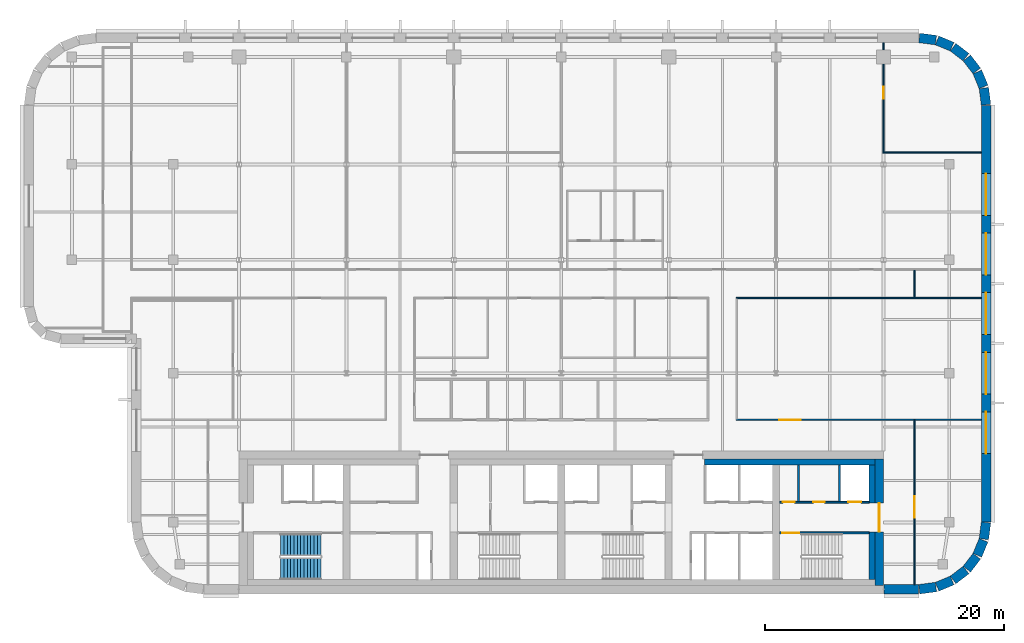
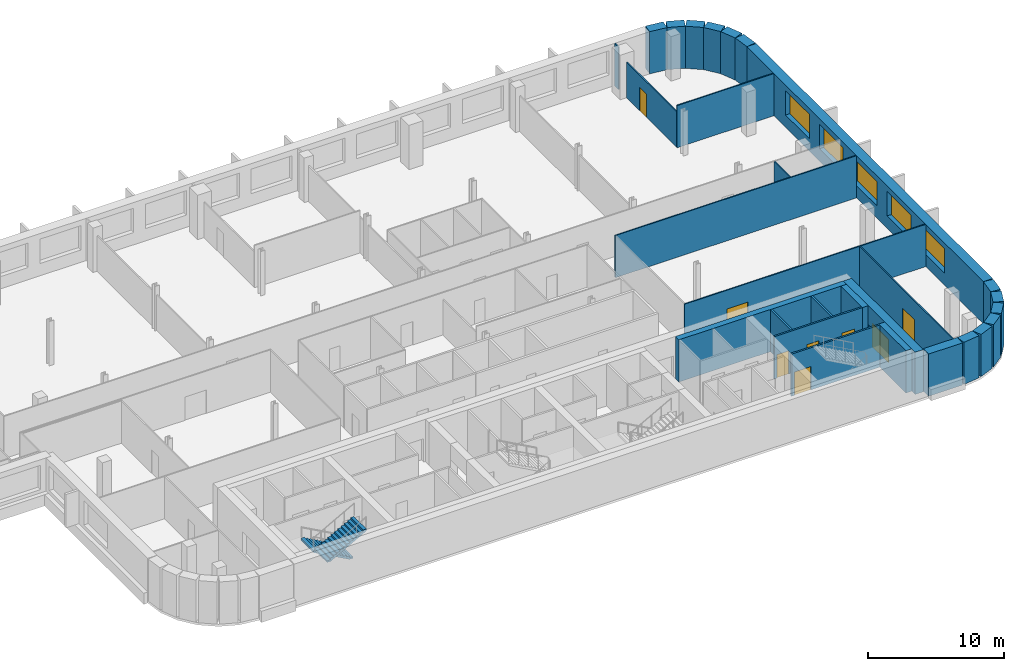
# One storey, part 11 of 16: 29 walls, 8 doors, 5 windows, 2 stair flights, 13 openings, 1 element without a shape of its own.
"""IFC4 building model written with IfcOpenShell, lengths in metres."""

from ifc_helpers import new_model, si_unit, direction, frame, frame_2d, origin, place, context, subcontext, project, spatial, polyline, rectangle, outline, extrude, material, layer, layer_set, type_object, element, fill, aggregate, save


model = new_model("IFC4")

# Units and contexts
model_context = context("Model", 3, precision=1e-05, world=origin(), true_north=direction((0.0, 1.0)))
body_context = subcontext(model_context, "Body", "Model", "MODEL_VIEW")
ifc_project = project(units=[si_unit("LENGTHUNIT", "METRE"), si_unit("AREAUNIT", "SQUARE_METRE"), si_unit("VOLUMEUNIT", "CUBIC_METRE"), si_unit("PLANEANGLEUNIT", "RADIAN"), si_unit("MASSUNIT", "GRAM", prefix="KILO")], contexts=[model_context])

# Site, building, storey
site_placement = place(None, origin())
site = spatial("IfcSite", under=ifc_project, at=site_placement, CompositionType="ELEMENT")
building_placement = place(site_placement, origin())
building = spatial("IfcBuilding", under=site, at=building_placement, Name="Zellij Exchange Tower", CompositionType="ELEMENT")
storey_placement = place(building_placement, frame((0.0, 0.0, 248.5)))
storey = spatial("IfcBuildingStorey", under=building, at=storey_placement, Name="L58", CompositionType="ELEMENT", Elevation=248.5)

# Walls
ifc_material_1 = material(Name="Concrete C30/37", Category="concrete")
ifc_layer_1 = layer(ifc_material_1, 0.5)
ifc_layer_set_1 = layer_set([ifc_layer_1], Name="Concrete C30/37")
wall_type_1 = type_object("IfcWallType", Name="CORE-LW 500 C30/37", PredefinedType="SHEAR", material=ifc_layer_set_1)
wall_1_placement = place(storey_placement, frame((12.0, -2.949951171875, 0.0), z_axis=(0.0, 0.0, 1.0), x_axis=(1.0, 0.0, 0.0)))
element("IfcWall", 1, at=wall_1_placement, inside=storey, type_object=wall_type_1, Name="Core wall lining front.2 L58", PredefinedType="SHEAR", context=body_context, shape_type="SweptSolid", body=[
    extrude(rectangle(XDim=14.300048828125, YDim=0.5, at=frame_2d((7.14990234375, 0.0))), origin(), (0.0, 0.0, 1.0), 3.800048828125),
])
wall_2_placement = place(storey_placement, frame((26.050048828125, -12.800048828125, 0.0), z_axis=(0.0, 0.0, 1.0), x_axis=(0.0, 1.0, 0.0)))
element("IfcWall", 2, at=wall_2_placement, inside=storey, type_object=wall_type_1, Name="Core wall lining end e.0 L58", PredefinedType="SHEAR", context=body_context, shape_type="SweptSolid", body=[
    extrude(rectangle(XDim=4.0, YDim=0.5, at=frame_2d((2.0, 0.0))), origin(), (0.0, 0.0, 1.0), 3.800048828125),
])
wall_3_placement = place(storey_placement, frame((26.050048828125, -6.375, 0.0), z_axis=(0.0, 0.0, 1.0), x_axis=(0.0, 1.0, 0.0)))
element("IfcWall", 3, at=wall_3_placement, inside=storey, type_object=wall_type_1, Name="Core wall lining end e.1 L58", PredefinedType="SHEAR", context=body_context, shape_type="SweptSolid", body=[
    extrude(rectangle(XDim=3.175048828125, YDim=0.5, at=frame_2d((1.58740234375, 0.0))), origin(), (0.0, 0.0, 1.0), 3.800048828125),
])
ifc_material_2 = material(Name="Gypsum board partition")
ifc_layer_2 = layer(ifc_material_2, 0.14990234375)
ifc_layer_set_2 = layer_set([ifc_layer_2], Name="Gypsum board partition")
wall_type_2 = type_object("IfcWallType", Name="CORE-PW 150 Lift lobby wall", PredefinedType="PARTITIONING", material=ifc_layer_set_2)
wall_4_placement = place(storey_placement, frame((19.875, -6.22509765625, 0.0), z_axis=(0.0, 0.0, 1.0), x_axis=(0.0, 1.0, 0.0)))
element("IfcWall", 4, at=wall_4_placement, inside=storey, type_object=wall_type_2, Name="Lift lobby wall L58", PredefinedType="PARTITIONING", context=body_context, shape_type="SweptSolid", body=[
    extrude(rectangle(XDim=3.025146484375, YDim=0.14990234375, at=frame_2d((1.5126953125, 0.0))), origin(), (0.0, 0.0, 1.0), 3.800048828125),
])
ifc_material_3 = material(Name="Gypsum shaft wall system")
ifc_layer_3 = layer(ifc_material_3, 0.14990234375)
ifc_layer_set_3 = layer_set([ifc_layer_3], Name="Gypsum shaft wall system")
wall_type_3 = type_object("IfcWallType", Name="CORE-PW 150 Lift shaft wall", PredefinedType="PARTITIONING", material=ifc_layer_set_3)
wall_5_placement = place(storey_placement, frame((23.324951171875, -6.22509765625, 0.0), z_axis=(0.0, 0.0, 1.0), x_axis=(0.0, 1.0, 0.0)))
element("IfcWall", 5, at=wall_5_placement, inside=storey, type_object=wall_type_3, Name="Lift shaft wall L58", PredefinedType="PARTITIONING", context=body_context, shape_type="SweptSolid", body=[
    extrude(rectangle(XDim=3.025146484375, YDim=0.14990234375, at=frame_2d((1.5126953125, 0.0))), origin(), (0.0, 0.0, 1.0), 3.800048828125),
])

# Wall, openings, doors
wall_6_placement = place(storey_placement, frame((18.300048828125, -6.300048828125, 0.0), z_axis=(0.0, 0.0, 1.0), x_axis=(1.0, 0.0, 0.0)))
wall_6 = element("IfcWall", 6, at=wall_6_placement, inside=storey, type_object=wall_type_3, Name="Lift shaft wall L58", PredefinedType="PARTITIONING", context=body_context, shape_type="SweptSolid", body=[
    extrude(rectangle(XDim=7.5, YDim=0.14990234375, at=frame_2d((3.75, 0.0))), origin(), (0.0, 0.0, 1.0), 3.800048828125),
])
opening_1_placement = place(wall_6_placement, frame((0.25, 0.0, 0.0)))
opening_1 = element("IfcOpeningElement", 7, at=opening_1_placement, cuts=wall_6, Name="Opening CA-30.22", PredefinedType="OPENING", context=body_context, shape_type="SweptSolid", body=[
    extrude(rectangle(XDim=1.0, YDim=2.10009765625, at=frame_2d((0.5, 1.050048828125))), frame((0.0, 0.0869140625, 0.0), z_axis=(0.0, -1.0, 0.0), x_axis=(1.0, 0.0, 0.0)), (0.0, 0.0, 1.0), 0.173828125),
])
opening_2_placement = place(wall_6_placement, frame((2.800048828125, 0.0, 0.0)))
opening_2 = element("IfcOpeningElement", 8, at=opening_2_placement, cuts=wall_6, Name="Opening CA-30.24", PredefinedType="OPENING", context=body_context, shape_type="SweptSolid", body=[
    extrude(rectangle(XDim=1.0, YDim=2.10009765625, at=frame_2d((0.5, 1.050048828125))), frame((0.0, 0.0869140625, 0.0), z_axis=(0.0, -1.0, 0.0), x_axis=(1.0, 0.0, 0.0)), (0.0, 0.0, 1.0), 0.173828125),
])
opening_3_placement = place(wall_6_placement, frame((5.75, 0.0, 0.0)))
opening_3 = element("IfcOpeningElement", 9, at=opening_3_placement, cuts=wall_6, Name="Opening CA-30.25", PredefinedType="OPENING", context=body_context, shape_type="SweptSolid", body=[
    extrude(rectangle(XDim=1.10009765625, YDim=2.10009765625, at=frame_2d((0.550048828125, 1.050048828125))), frame((0.0, 0.0869140625, 0.0), z_axis=(0.0, -1.0, 0.0), x_axis=(1.0, 0.0, 0.0)), (0.0, 0.0, 1.0), 0.173828125),
])
ifc_material_4 = material(Name="Hollow metal fire door")
door_type_1 = type_object("IfcDoorType", Name="CORE-D CD Core room door 1000x2100 1 HR", OperationType="NOTDEFINED", PredefinedType="DOOR", material=ifc_material_4)
door_1_placement = place(opening_1_placement, origin())
door_1 = element("IfcDoor", 10, at=door_1_placement, inside=storey, type_object=door_type_1, Name="Core room door CA-30.22", OperationType="SINGLE_SWING_LEFT", OverallHeight=2.10009765625, OverallWidth=1.0, PredefinedType="DOOR", context=body_context, shape_type="SweptSolid", body=[
    extrude(rectangle(XDim=1.0, YDim=2.10009765625, at=frame_2d((0.5, 1.050048828125))), frame((0.0, 0.02490234375, 0.0), z_axis=(0.0, -1.0, 0.0), x_axis=(1.0, 0.0, 0.0)), (0.0, 0.0, 1.0), 0.050048828125),
])
fill(opening_1, door_1)
door_2_placement = place(opening_2_placement, origin())
door_2 = element("IfcDoor", 11, at=door_2_placement, inside=storey, type_object=door_type_1, Name="Core room door CA-30.24", OperationType="SINGLE_SWING_LEFT", OverallHeight=2.10009765625, OverallWidth=1.0, PredefinedType="DOOR", context=body_context, shape_type="SweptSolid", body=[
    extrude(rectangle(XDim=1.0, YDim=2.10009765625, at=frame_2d((0.5, 1.050048828125))), frame((0.0, 0.02490234375, 0.0), z_axis=(0.0, -1.0, 0.0), x_axis=(1.0, 0.0, 0.0)), (0.0, 0.0, 1.0), 0.050048828125),
])
fill(opening_2, door_2)
door_type_2 = type_object("IfcDoorType", Name="CORE-D LD Lift landing door 1100x2100 1.5 HR", OperationType="NOTDEFINED", PredefinedType="DOOR", material=ifc_material_4)
door_3_placement = place(opening_3_placement, origin())
door_3 = element("IfcDoor", 12, at=door_3_placement, inside=storey, type_object=door_type_2, Name="Lift landing door CA-30.25", OperationType="SLIDING_TO_LEFT", OverallHeight=2.10009765625, OverallWidth=1.10009765625, PredefinedType="DOOR", context=body_context, shape_type="SweptSolid", body=[
    extrude(rectangle(XDim=1.10009765625, YDim=2.10009765625, at=frame_2d((0.550048828125, 1.050048828125))), frame((0.0, 0.02490234375, 0.0), z_axis=(0.0, -1.0, 0.0), x_axis=(1.0, 0.0, 0.0)), (0.0, 0.0, 1.0), 0.050048828125),
])
fill(opening_3, door_3)

# Wall, opening, door
ifc_material_5 = material(Name="Concrete C50/60", Category="concrete")
ifc_layer_4 = layer(ifc_material_5, 0.699951171875)
ifc_layer_set_4 = layer_set([ifc_layer_4], Name="Concrete C50/60")
wall_type_4 = type_object("IfcWallType", Name="CORE-SW 700 C50/60", PredefinedType="SHEAR", material=ifc_layer_set_4)
wall_7_placement = place(storey_placement, frame((26.64990234375, -13.300048828125, 0.0), z_axis=(0.0, 0.0, 1.0), x_axis=(0.0, 1.0, 0.0)))
wall_7 = element("IfcWall", 13, at=wall_7_placement, inside=storey, type_object=wall_type_4, Name="Core shear wall end e L58", PredefinedType="SHEAR", context=body_context, shape_type="SweptSolid", body=[
    extrude(rectangle(XDim=10.60009765625, YDim=0.699951171875, at=frame_2d((5.300048828125, 0.0))), origin(), (0.0, 0.0, 1.0), 3.800048828125),
])
opening_4_placement = place(wall_7_placement, frame((4.511962890625, 0.0, 0.0)))
opening_4 = element("IfcOpeningElement", 14, at=opening_4_placement, cuts=wall_7, Name="Opening CA-30.26", PredefinedType="OPENING", context=body_context, shape_type="SweptSolid", body=[
    extrude(rectangle(XDim=2.39990234375, YDim=2.10009765625, at=frame_2d((1.199951171875, 1.050048828125))), frame((0.0, 0.36181640625, 0.0), z_axis=(0.0, -1.0, 0.0), x_axis=(1.0, 0.0, 0.0)), (0.0, 0.0, 1.0), 0.723876953125),
])
door_type_3 = type_object("IfcDoorType", Name="CORE-D CE Core entrance door 2400x2100 20 MIN", OperationType="NOTDEFINED", PredefinedType="DOOR", material=ifc_material_4)
door_4_placement = place(opening_4_placement, origin())
door_4 = element("IfcDoor", 15, at=door_4_placement, inside=storey, type_object=door_type_3, Name="Core entrance door CA-30.26", OperationType="DOUBLE_DOOR_SINGLE_SWING", OverallHeight=2.10009765625, OverallWidth=2.39990234375, PredefinedType="DOOR", context=body_context, shape_type="SweptSolid", body=[
    extrude(rectangle(XDim=2.39990234375, YDim=2.10009765625, at=frame_2d((1.199951171875, 1.050048828125))), frame((0.0, 0.02490234375, 0.0), z_axis=(0.0, -1.0, 0.0), x_axis=(1.0, 0.0, 0.0)), (0.0, 0.0, 1.0), 0.050048828125),
])
fill(opening_4, door_4)

ifc_layer_5 = layer(ifc_material_5, 0.14990234375)
ifc_layer_set_5 = layer_set([ifc_layer_5], Name="Concrete C50/60")
wall_type_5 = type_object("IfcWallType", Name="CORE-SWS 150 C50/60", PredefinedType="SHEAR", material=ifc_layer_set_5)
wall_8_placement = place(storey_placement, frame((18.300048828125, -8.875, 0.0), z_axis=(0.0, 0.0, 1.0), x_axis=(1.0, 0.0, 0.0)))
wall_8 = element("IfcWall", 16, at=wall_8_placement, inside=storey, type_object=wall_type_5, Name="Stair enclosure wall L58", PredefinedType="SHEAR", context=body_context, shape_type="SweptSolid", body=[
    extrude(rectangle(XDim=7.5, YDim=0.14990234375, at=frame_2d((3.75, 0.0))), origin(), (0.0, 0.0, 1.0), 3.800048828125),
])
opening_5_placement = place(wall_8_placement, frame((0.22509765625, 0.0, 0.0)))
opening_5 = element("IfcOpeningElement", 17, at=opening_5_placement, cuts=wall_8, Name="Opening CA-30.23", PredefinedType="OPENING", context=body_context, shape_type="SweptSolid", body=[
    extrude(rectangle(XDim=1.39990234375, YDim=2.10009765625, at=frame_2d((0.699951171875, 1.050048828125))), frame((0.0, 0.0869140625, 0.0), z_axis=(0.0, -1.0, 0.0), x_axis=(1.0, 0.0, 0.0)), (0.0, 0.0, 1.0), 0.173828125),
])
door_type_4 = type_object("IfcDoorType", Name="CORE-D SD Stair door 1400x2100 1.5 HR", OperationType="NOTDEFINED", PredefinedType="DOOR", material=ifc_material_4)
door_5_placement = place(opening_5_placement, origin())
door_5 = element("IfcDoor", 18, at=door_5_placement, inside=storey, type_object=door_type_4, Name="Stair door CA-30.23", OperationType="DOUBLE_DOOR_SINGLE_SWING", OverallHeight=2.10009765625, OverallWidth=1.39990234375, PredefinedType="DOOR", context=body_context, shape_type="SweptSolid", body=[
    extrude(rectangle(XDim=1.39990234375, YDim=2.10009765625, at=frame_2d((0.699951171875, 1.050048828125))), frame((0.0, 0.02490234375, 0.0), z_axis=(0.0, -1.0, 0.0), x_axis=(1.0, 0.0, 0.0)), (0.0, 0.0, 1.0), 0.050048828125),
])
fill(opening_5, door_5)

# Walls
ifc_material_6 = material(Name="Precast concrete C40/50", Category="concrete")
ifc_layer_6 = layer(ifc_material_6, 0.800048828125)
ifc_layer_set_6 = layer_set([ifc_layer_6], Name="Precast concrete C40/50")
wall_type_6 = type_object("IfcWallType", Name="ENV-EW1 Precast stone-piered wall 800", PredefinedType="SOLIDWALL", material=ifc_layer_set_6)
wall_9_placement = place(storey_placement, frame((27.050048828125, -13.60009765625, 0.0), z_axis=(0.0, 0.0, 1.0), x_axis=(1.0, 0.0, 0.0)))
element("IfcWall", 19, at=wall_9_placement, inside=storey, type_object=wall_type_6, Name="fac.L58.00b", PredefinedType="SOLIDWALL", context=body_context, shape_type="SweptSolid", body=[
    extrude(rectangle(XDim=2.8974609375, YDim=0.800048828125, at=frame_2d((1.44873046875, 0.0))), origin(), (0.0, 0.0, 1.0), 3.800048828125),
])
wall_10_placement = place(storey_placement, frame((29.999755859375, -13.5966796875, 0.0), z_axis=(0.0, 0.0, 1.0), x_axis=(0.99144603414, 0.130517283865, 0.0)))
element("IfcWall", 20, at=wall_10_placement, inside=storey, type_object=wall_type_6, Name="fac.L58.01", PredefinedType="SOLIDWALL", context=body_context, shape_type="SweptSolid", body=[
    extrude(rectangle(XDim=1.408447265625, YDim=0.800048828125, at=frame_2d((0.7041015625, 0.0))), origin(), (0.0, 0.0, 1.0), 3.800048828125),
])
wall_11_placement = place(storey_placement, frame((31.497314453125, -13.3857421875, 0.0), z_axis=(0.0, 0.0, 1.0), x_axis=(0.923847774587, 0.38276009378, 0.0)))
element("IfcWall", 21, at=wall_11_placement, inside=storey, type_object=wall_type_6, Name="fac.L58.02", PredefinedType="SOLIDWALL", context=body_context, shape_type="SweptSolid", body=[
    extrude(rectangle(XDim=1.35546875, YDim=0.800048828125, at=frame_2d((0.677734375, 0.0))), origin(), (0.0, 0.0, 1.0), 3.800048828125),
])
for number, where, z_axis, x_axis, name in (
    (22, (32.840087890625, -12.814697265625, 0.0), (0.0, 0.0, 1.0), (0.793272915452, 0.608866226366, 0.0), "fac.L58.03"),
    (23, (33.9892578125, -11.91552734375, 0.0), (0.0, 0.0, 1.0), (0.608866226366, 0.793272915452, 0.0), "fac.L58.04"),
):
    element("IfcWall", number, at=place(storey_placement, frame(where, z_axis=z_axis, x_axis=x_axis)), inside=storey, type_object=wall_type_6, Name=name, PredefinedType="SOLIDWALL", context=body_context, shape_type="SweptSolid", body=[
        extrude(rectangle(XDim=1.355712890625, YDim=0.800048828125, at=frame_2d((0.677734375, 0.0))), origin(), (0.0, 0.0, 1.0), 3.800048828125),
    ])
wall_12_placement = place(storey_placement, frame((34.866943359375, -10.74951171875, 0.0), z_axis=(0.0, 0.0, 1.0), x_axis=(0.38276009378, 0.923847774587, 0.0)))
element("IfcWall", 24, at=wall_12_placement, inside=storey, type_object=wall_type_6, Name="fac.L58.05", PredefinedType="SOLIDWALL", context=body_context, shape_type="SweptSolid", body=[
    extrude(rectangle(XDim=1.35546875, YDim=0.800048828125, at=frame_2d((0.677734375, 0.0))), origin(), (0.0, 0.0, 1.0), 3.800048828125),
])
wall_13_placement = place(storey_placement, frame((35.412841796875, -9.396240234375, 0.0), z_axis=(0.0, 0.0, 1.0), x_axis=(0.130517283865, 0.99144603414, 0.0)))
element("IfcWall", 25, at=wall_13_placement, inside=storey, type_object=wall_type_6, Name="fac.L58.06", PredefinedType="SOLIDWALL", context=body_context, shape_type="SweptSolid", body=[
    extrude(rectangle(XDim=1.408447265625, YDim=0.800048828125, at=frame_2d((0.7041015625, 0.0))), origin(), (0.0, 0.0, 1.0), 3.800048828125),
])

# Wall, openings, windows
wall_14_placement = place(storey_placement, frame((35.60009765625, -7.947509765625, 0.0), z_axis=(0.0, 0.0, 1.0), x_axis=(0.0, 1.0, 0.0)))
wall_14 = element("IfcWall", 26, at=wall_14_placement, inside=storey, type_object=wall_type_6, Name="fac.L58.07", PredefinedType="SOLIDWALL", context=body_context, shape_type="SweptSolid", body=[
    extrude(rectangle(XDim=34.89501953125, YDim=0.800048828125, at=frame_2d((17.447509765625, 0.0))), origin(), (0.0, 0.0, 1.0), 3.800048828125),
])
opening_6_placement = place(wall_14_placement, frame((5.71240234375, 0.0, 1.10009765625)))
opening_6 = element("IfcOpeningElement", 27, at=opening_6_placement, cuts=wall_14, Name="Opening FZ4.01", PredefinedType="OPENING", context=body_context, shape_type="SweptSolid", body=[
    extrude(rectangle(XDim=3.5, YDim=2.199951171875, at=frame_2d((1.75, 1.10009765625))), frame((0.0, 0.412109375, 0.0), z_axis=(0.0, -1.0, 0.0), x_axis=(1.0, 0.0, 0.0)), (0.0, 0.0, 1.0), 0.823974609375),
])
opening_7_placement = place(wall_14_placement, frame((10.705078125, 0.0, 1.10009765625)))
opening_7 = element("IfcOpeningElement", 28, at=opening_7_placement, cuts=wall_14, Name="Opening FZ4.02", PredefinedType="OPENING", context=body_context, shape_type="SweptSolid", body=[
    extrude(rectangle(XDim=3.5, YDim=2.199951171875, at=frame_2d((1.75, 1.10009765625))), frame((0.0, 0.412109375, 0.0), z_axis=(0.0, -1.0, 0.0), x_axis=(1.0, 0.0, 0.0)), (0.0, 0.0, 1.0), 0.823974609375),
])
opening_8_placement = place(wall_14_placement, frame((15.697509765625, 0.0, 1.10009765625)))
opening_8 = element("IfcOpeningElement", 29, at=opening_8_placement, cuts=wall_14, Name="Opening FZ4.03", PredefinedType="OPENING", context=body_context, shape_type="SweptSolid", body=[
    extrude(rectangle(XDim=3.5, YDim=2.199951171875, at=frame_2d((1.75, 1.10009765625))), frame((0.0, 0.412109375, 0.0), z_axis=(0.0, -1.0, 0.0), x_axis=(1.0, 0.0, 0.0)), (0.0, 0.0, 1.0), 0.823974609375),
])
opening_9_placement = place(wall_14_placement, frame((20.690185546875, 0.0, 1.10009765625)))
opening_9 = element("IfcOpeningElement", 30, at=opening_9_placement, cuts=wall_14, Name="Opening FZ4.04", PredefinedType="OPENING", context=body_context, shape_type="SweptSolid", body=[
    extrude(rectangle(XDim=3.5, YDim=2.199951171875, at=frame_2d((1.75, 1.10009765625))), frame((0.0, 0.412109375, 0.0), z_axis=(0.0, -1.0, 0.0), x_axis=(1.0, 0.0, 0.0)), (0.0, 0.0, 1.0), 0.823974609375),
])
opening_10_placement = place(wall_14_placement, frame((25.6826171875, 0.0, 1.10009765625)))
opening_10 = element("IfcOpeningElement", 31, at=opening_10_placement, cuts=wall_14, Name="Opening FZ4.05", PredefinedType="OPENING", context=body_context, shape_type="SweptSolid", body=[
    extrude(rectangle(XDim=3.5, YDim=2.199951171875, at=frame_2d((1.75, 1.10009765625))), frame((0.0, 0.412109375, 0.0), z_axis=(0.0, -1.0, 0.0), x_axis=(1.0, 0.0, 0.0)), (0.0, 0.0, 1.0), 0.823974609375),
])
ifc_material_7 = material(Name="Aluminium frame with insulating glass", Category="aluminium")
window_type = type_object("IfcWindowType", Name="ENV-W7 Window 3500x2200", PartitioningType="SINGLE_PANEL", PredefinedType="WINDOW", material=ifc_material_7)
window_1_placement = place(opening_6_placement, origin())
window_1 = element("IfcWindow", 32, at=window_1_placement, inside=storey, type_object=window_type, Name="Window FZ4.01", OverallHeight=2.199951171875, OverallWidth=3.5, PartitioningType="SINGLE_PANEL", PredefinedType="WINDOW", context=body_context, shape_type="SweptSolid", body=[
    extrude(rectangle(XDim=3.5, YDim=2.199951171875, at=frame_2d((1.75, 1.10009765625))), frame((0.0, 0.030029296875, 0.0), z_axis=(0.0, -1.0, 0.0), x_axis=(1.0, 0.0, 0.0)), (0.0, 0.0, 1.0), 0.06005859375),
])
fill(opening_6, window_1)
window_2_placement = place(opening_7_placement, origin())
window_2 = element("IfcWindow", 33, at=window_2_placement, inside=storey, type_object=window_type, Name="Window FZ4.02", OverallHeight=2.199951171875, OverallWidth=3.5, PartitioningType="SINGLE_PANEL", PredefinedType="WINDOW", context=body_context, shape_type="SweptSolid", body=[
    extrude(rectangle(XDim=3.5, YDim=2.199951171875, at=frame_2d((1.75, 1.10009765625))), frame((0.0, 0.030029296875, 0.0), z_axis=(0.0, -1.0, 0.0), x_axis=(1.0, 0.0, 0.0)), (0.0, 0.0, 1.0), 0.06005859375),
])
fill(opening_7, window_2)
window_3_placement = place(opening_8_placement, origin())
window_3 = element("IfcWindow", 34, at=window_3_placement, inside=storey, type_object=window_type, Name="Window FZ4.03", OverallHeight=2.199951171875, OverallWidth=3.5, PartitioningType="SINGLE_PANEL", PredefinedType="WINDOW", context=body_context, shape_type="SweptSolid", body=[
    extrude(rectangle(XDim=3.5, YDim=2.199951171875, at=frame_2d((1.75, 1.10009765625))), frame((0.0, 0.030029296875, 0.0), z_axis=(0.0, -1.0, 0.0), x_axis=(1.0, 0.0, 0.0)), (0.0, 0.0, 1.0), 0.06005859375),
])
fill(opening_8, window_3)
window_4_placement = place(opening_9_placement, origin())
window_4 = element("IfcWindow", 35, at=window_4_placement, inside=storey, type_object=window_type, Name="Window FZ4.04", OverallHeight=2.199951171875, OverallWidth=3.5, PartitioningType="SINGLE_PANEL", PredefinedType="WINDOW", context=body_context, shape_type="SweptSolid", body=[
    extrude(rectangle(XDim=3.5, YDim=2.199951171875, at=frame_2d((1.75, 1.10009765625))), frame((0.0, 0.030029296875, 0.0), z_axis=(0.0, -1.0, 0.0), x_axis=(1.0, 0.0, 0.0)), (0.0, 0.0, 1.0), 0.06005859375),
])
fill(opening_9, window_4)
window_5_placement = place(opening_10_placement, origin())
window_5 = element("IfcWindow", 36, at=window_5_placement, inside=storey, type_object=window_type, Name="Window FZ4.05", OverallHeight=2.199951171875, OverallWidth=3.5, PartitioningType="SINGLE_PANEL", PredefinedType="WINDOW", context=body_context, shape_type="SweptSolid", body=[
    extrude(rectangle(XDim=3.5, YDim=2.199951171875, at=frame_2d((1.75, 1.10009765625))), frame((0.0, 0.030029296875, 0.0), z_axis=(0.0, -1.0, 0.0), x_axis=(1.0, 0.0, 0.0)), (0.0, 0.0, 1.0), 0.06005859375),
])
fill(opening_10, window_5)

# Walls
wall_15_placement = place(storey_placement, frame((35.5966796875, 26.999755859375, 0.0), z_axis=(0.0, 0.0, 1.0), x_axis=(-0.130517283865, 0.99144603414, 0.0)))
element("IfcWall", 37, at=wall_15_placement, inside=storey, type_object=wall_type_6, Name="fac.L58.08", PredefinedType="SOLIDWALL", context=body_context, shape_type="SweptSolid", body=[
    extrude(rectangle(XDim=1.408447265625, YDim=0.800048828125, at=frame_2d((0.7041015625, 0.0))), origin(), (0.0, 0.0, 1.0), 3.800048828125),
])
wall_16_placement = place(storey_placement, frame((35.3857421875, 28.497314453125, 0.0), z_axis=(0.0, 0.0, 1.0), x_axis=(-0.38276009378, 0.923847774587, 0.0)))
element("IfcWall", 38, at=wall_16_placement, inside=storey, type_object=wall_type_6, Name="fac.L58.09", PredefinedType="SOLIDWALL", context=body_context, shape_type="SweptSolid", body=[
    extrude(rectangle(XDim=1.35546875, YDim=0.800048828125, at=frame_2d((0.677734375, 0.0))), origin(), (0.0, 0.0, 1.0), 3.800048828125),
])
for number, where, z_axis, x_axis, name in (
    (39, (34.814697265625, 29.840087890625, 0.0), (0.0, 0.0, 1.0), (-0.608866226366, 0.793272915452, 0.0), "fac.L58.10"),
    (40, (33.91552734375, 30.9892578125, 0.0), (0.0, 0.0, 1.0), (-0.793272915452, 0.608866226366, 0.0), "fac.L58.11"),
):
    element("IfcWall", number, at=place(storey_placement, frame(where, z_axis=z_axis, x_axis=x_axis)), inside=storey, type_object=wall_type_6, Name=name, PredefinedType="SOLIDWALL", context=body_context, shape_type="SweptSolid", body=[
        extrude(rectangle(XDim=1.355712890625, YDim=0.800048828125, at=frame_2d((0.677734375, 0.0))), origin(), (0.0, 0.0, 1.0), 3.800048828125),
    ])
wall_17_placement = place(storey_placement, frame((32.74951171875, 31.866943359375, 0.0), z_axis=(0.0, 0.0, 1.0), x_axis=(-0.923847774587, 0.38276009378, 0.0)))
element("IfcWall", 41, at=wall_17_placement, inside=storey, type_object=wall_type_6, Name="fac.L58.12", PredefinedType="SOLIDWALL", context=body_context, shape_type="SweptSolid", body=[
    extrude(rectangle(XDim=1.35546875, YDim=0.800048828125, at=frame_2d((0.677734375, 0.0))), origin(), (0.0, 0.0, 1.0), 3.800048828125),
])
wall_18_placement = place(storey_placement, frame((31.396240234375, 32.412841796875, 0.0), z_axis=(0.0, 0.0, 1.0), x_axis=(-0.99144603414, 0.130517283865, 0.0)))
element("IfcWall", 42, at=wall_18_placement, inside=storey, type_object=wall_type_6, Name="fac.L58.13", PredefinedType="SOLIDWALL", context=body_context, shape_type="SweptSolid", body=[
    extrude(rectangle(XDim=1.408447265625, YDim=0.800048828125, at=frame_2d((0.7041015625, 0.0))), origin(), (0.0, 0.0, 1.0), 3.800048828125),
])

# Wall, opening, door
ifc_material_8 = material(Name="Gypsum board partition on steel studs", Category="steel")
ifc_layer_7 = layer(ifc_material_8, 0.10009765625)
ifc_layer_set_7 = layer_set([ifc_layer_7], Name="Gypsum board partition on steel studs")
wall_type_7 = type_object("IfcWallType", Name="FIT-PARTITION-100", PredefinedType="PARTITIONING", material=ifc_layer_set_7)
wall_19_placement = place(storey_placement, frame((29.60009765625, -13.199951171875, 0.0), z_axis=(0.0, 0.0, 1.0), x_axis=(0.0, 1.0, 0.0)))
wall_19 = element("IfcWall", 43, at=wall_19_placement, inside=storey, type_object=wall_type_7, Name="FIT-PARTITION-100 002", PredefinedType="PARTITIONING", context=body_context, shape_type="SweptSolid", body=[
    extrude(rectangle(XDim=13.75, YDim=0.10009765625, at=frame_2d((6.875, 0.0))), origin(), (0.0, 0.0, 1.0), 3.800048828125),
])
opening_11_placement = place(wall_19_placement, frame((5.60009765625, 0.0, 0.0)))
opening_11 = element("IfcOpeningElement", 44, at=opening_11_placement, cuts=wall_19, Name="Opening O4D.01", PredefinedType="OPENING", context=body_context, shape_type="SweptSolid", body=[
    extrude(rectangle(XDim=1.800048828125, YDim=2.10009765625, at=frame_2d((0.89990234375, 1.050048828125))), frame((0.0, 0.06201171875, 0.0), z_axis=(0.0, -1.0, 0.0), x_axis=(1.0, 0.0, 0.0)), (0.0, 0.0, 1.0), 0.1240234375),
])
ifc_material_9 = material(Name="Timber door set", Category="wood")
door_type_5 = type_object("IfcDoorType", Name="FIT-D3-DOUBLE-1800X2100", OperationType="DOUBLE_DOOR_SINGLE_SWING", PredefinedType="DOOR", material=ifc_material_9)
door_6_placement = place(opening_11_placement, origin())
door_6 = element("IfcDoor", 45, at=door_6_placement, inside=storey, type_object=door_type_5, Name="Door O4D.01", OperationType="DOUBLE_DOOR_SINGLE_SWING", OverallHeight=2.10009765625, OverallWidth=1.800048828125, PredefinedType="DOOR", context=body_context, shape_type="SweptSolid", body=[
    extrude(rectangle(XDim=1.800048828125, YDim=2.10009765625, at=frame_2d((0.89990234375, 1.050048828125))), frame((0.0, 0.02490234375, 0.0), z_axis=(0.0, -1.0, 0.0), x_axis=(1.0, 0.0, 0.0)), (0.0, 0.0, 1.0), 0.050048828125),
])
fill(opening_11, door_6)

wall_20_placement = place(storey_placement, frame((14.64990234375, 0.60009765625, 0.0), z_axis=(0.0, 0.0, 1.0), x_axis=(1.0, 0.0, 0.0)))
wall_20 = element("IfcWall", 46, at=wall_20_placement, inside=storey, type_object=wall_type_7, Name="FIT-PARTITION-100 016", PredefinedType="PARTITIONING", context=body_context, shape_type="SweptSolid", body=[
    extrude(rectangle(XDim=20.550048828125, YDim=0.10009765625, at=frame_2d((10.27490234375, 0.0))), origin(), (0.0, 0.0, 1.0), 3.800048828125),
])
opening_12_placement = place(wall_20_placement, frame((3.60009765625, 0.0, 0.0)))
opening_12 = element("IfcOpeningElement", 47, at=opening_12_placement, cuts=wall_20, Name="Opening O4D.08", PredefinedType="OPENING", context=body_context, shape_type="SweptSolid", body=[
    extrude(rectangle(XDim=1.800048828125, YDim=2.10009765625, at=frame_2d((0.89990234375, 1.050048828125))), frame((0.0, 0.06201171875, 0.0), z_axis=(0.0, -1.0, 0.0), x_axis=(1.0, 0.0, 0.0)), (0.0, 0.0, 1.0), 0.1240234375),
])
door_7_placement = place(opening_12_placement, origin())
door_7 = element("IfcDoor", 48, at=door_7_placement, inside=storey, type_object=door_type_5, Name="Door O4D.08", OperationType="DOUBLE_DOOR_SINGLE_SWING", OverallHeight=2.10009765625, OverallWidth=1.800048828125, PredefinedType="DOOR", context=body_context, shape_type="SweptSolid", body=[
    extrude(rectangle(XDim=1.800048828125, YDim=2.10009765625, at=frame_2d((0.89990234375, 1.050048828125))), frame((0.0, 0.02490234375, 0.0), z_axis=(0.0, -1.0, 0.0), x_axis=(1.0, 0.0, 0.0)), (0.0, 0.0, 1.0), 0.050048828125),
])
fill(opening_12, door_7)

# Walls
wall_21_placement = place(storey_placement, frame((14.64990234375, 10.800048828125, 0.0), z_axis=(0.0, 0.0, 1.0), x_axis=(1.0, 0.0, 0.0)))
element("IfcWall", 49, at=wall_21_placement, inside=storey, type_object=wall_type_7, Name="FIT-PARTITION-100 034", PredefinedType="PARTITIONING", context=body_context, shape_type="SweptSolid", body=[
    extrude(rectangle(XDim=20.550048828125, YDim=0.10009765625, at=frame_2d((10.27490234375, 0.0))), origin(), (0.0, 0.0, 1.0), 3.800048828125),
])
wall_22_placement = place(storey_placement, frame((29.60009765625, 10.85009765625, 0.0), z_axis=(0.0, 0.0, 1.0), x_axis=(0.0, 1.0, 0.0)))
element("IfcWall", 50, at=wall_22_placement, inside=storey, type_object=wall_type_7, Name="FIT-PARTITION-100 035", PredefinedType="PARTITIONING", context=body_context, shape_type="SweptSolid", body=[
    extrude(rectangle(XDim=2.2998046875, YDim=0.10009765625, at=frame_2d((1.14990234375, 0.0))), origin(), (0.0, 0.0, 1.0), 3.800048828125),
])
wall_23_placement = place(storey_placement, frame((26.949951171875, 23.0, 0.0), z_axis=(0.0, 0.0, 1.0), x_axis=(1.0, 0.0, 0.0)))
element("IfcWall", 51, at=wall_23_placement, inside=storey, type_object=wall_type_7, Name="FIT-PARTITION-100 059", PredefinedType="PARTITIONING", context=body_context, shape_type="SweptSolid", body=[
    extrude(rectangle(XDim=8.25, YDim=0.10009765625, at=frame_2d((4.125, 0.0))), origin(), (0.0, 0.0, 1.0), 3.800048828125),
])

# Wall, opening, door
wall_24_placement = place(storey_placement, frame((27.0, 23.050048828125, 0.0), z_axis=(0.0, 0.0, 1.0), x_axis=(0.0, 1.0, 0.0)))
wall_24 = element("IfcWall", 52, at=wall_24_placement, inside=storey, type_object=wall_type_7, Name="FIT-PARTITION-100 060", PredefinedType="PARTITIONING", context=body_context, shape_type="SweptSolid", body=[
    extrude(rectangle(XDim=7.349853515625, YDim=0.10009765625, at=frame_2d((3.6748046875, 0.0))), origin(), (0.0, 0.0, 1.0), 3.19287109375),
])
opening_13_placement = place(wall_24_placement, frame((4.449951171875, 0.0, 0.0)))
opening_13 = element("IfcOpeningElement", 53, at=opening_13_placement, cuts=wall_24, Name="Opening O4D.26", PredefinedType="OPENING", context=body_context, shape_type="SweptSolid", body=[
    extrude(rectangle(XDim=1.0, YDim=2.10009765625, at=frame_2d((0.5, 1.050048828125))), frame((0.0, 0.06201171875, 0.0), z_axis=(0.0, -1.0, 0.0), x_axis=(1.0, 0.0, 0.0)), (0.0, 0.0, 1.0), 0.1240234375),
])
door_type_6 = type_object("IfcDoorType", Name="FIT-D2-WIDE-1000X2100", OperationType="SINGLE_SWING_LEFT", PredefinedType="DOOR", material=ifc_material_9)
door_8_placement = place(opening_13_placement, origin())
door_8 = element("IfcDoor", 54, at=door_8_placement, inside=storey, type_object=door_type_6, Name="Door O4D.26", OperationType="SINGLE_SWING_RIGHT", OverallHeight=2.10009765625, OverallWidth=1.0, PredefinedType="DOOR", context=body_context, shape_type="SweptSolid", body=[
    extrude(rectangle(XDim=1.0, YDim=2.10009765625, at=frame_2d((0.5, 1.050048828125))), frame((0.0, 0.02490234375, 0.0), z_axis=(0.0, -1.0, 0.0), x_axis=(1.0, 0.0, 0.0)), (0.0, 0.0, 1.0), 0.050048828125),
])
fill(opening_13, door_8)

# Wall
wall_25_placement = place(storey_placement, frame((27.0, 31.60009765625, 0.0), z_axis=(0.0, 0.0, 1.0), x_axis=(0.0, 1.0, 0.0)))
element("IfcWall", 55, at=wall_25_placement, inside=storey, type_object=wall_type_7, Name="FIT-PARTITION-100 061", PredefinedType="PARTITIONING", context=body_context, shape_type="SweptSolid", body=[
    extrude(rectangle(XDim=0.599853515625, YDim=0.10009765625, at=frame_2d((0.2998046875, 0.0))), origin(), (0.0, 0.0, 1.0), 3.800048828125),
])

# Stair, stair flights
ifc_material_10 = material(Name="Concrete C40/50", Category="concrete")
stair_type = type_object("IfcStairType", Name="CORE-ST exit stair 1850 wide", PredefinedType="HALF_TURN_STAIR", material=ifc_material_10)
stair_placement = place(storey_placement, origin())
stair = element("IfcStair", 56, at=stair_placement, inside=storey, type_object=stair_type, Name="L58 exit stair ST1", PredefinedType="HALF_TURN_STAIR")
stair_flight_type = type_object("IfcStairFlightType", Name="CORE-SF flight 1850 riser 153.8 going 280", PredefinedType="STRAIGHT", material=ifc_material_10)
stair_flight_1_placement = place(storey_placement, frame((-20.14990234375, -9.875, 0.0), z_axis=(0.0, 0.0, 1.0), x_axis=(-1.0, 0.0, 0.0)))
stair_flight_1 = element("IfcStairFlight", 57, at=stair_flight_1_placement, type_object=stair_flight_type, Name="ST1 flight 1", NumberOfRisers=13, NumberOfTreads=12, PredefinedType="STRAIGHT", RiserHeight=0.153846154, TreadLength=0.28, context=body_context, shape_type="SweptSolid", body=[
    extrude(outline(polyline([(0.0, 0.0), (0.0, 0.15380859375), (0.280029296875, 0.15380859375), (0.280029296875, 0.3076171875), (0.56005859375, 0.3076171875), (0.56005859375, 0.46142578125), (0.840087890625, 0.46142578125), (0.840087890625, 0.615478515625), (1.1201171875, 0.615478515625), (1.1201171875, 0.769287109375), (1.39990234375, 0.769287109375), (1.39990234375, 0.923095703125), (1.679931640625, 0.923095703125), (1.679931640625, 1.076904296875), (1.9599609375, 1.076904296875), (1.9599609375, 1.230712890625), (2.239990234375, 1.230712890625), (2.239990234375, 1.384521484375), (2.52001953125, 1.384521484375), (2.52001953125, 1.53857421875), (2.800048828125, 1.53857421875), (2.800048828125, 1.6923828125), (3.080078125, 1.6923828125), (3.080078125, 1.84619140625), (3.360107421875, 1.84619140625), (3.360107421875, 2.0), (3.360107421875, 1.675048828125), (0.311279296875, 0.0), (0.0, 0.0)])), frame((0.0, 0.925048828125, 0.0), z_axis=(0.0, -1.0, 0.0), x_axis=(1.0, 0.0, 0.0)), (0.0, 0.0, 1.0), 1.85009765625),
])
stair_flight_2_placement = place(storey_placement, frame((-23.510009765625, -11.875, 2.0), z_axis=(0.0, 0.0, 1.0), x_axis=(1.0, 0.0, 0.0)))
stair_flight_2 = element("IfcStairFlight", 58, at=stair_flight_2_placement, type_object=stair_flight_type, Name="ST1 flight 2", NumberOfRisers=13, NumberOfTreads=12, PredefinedType="STRAIGHT", RiserHeight=0.153846154, TreadLength=0.28, context=body_context, shape_type="SweptSolid", body=[
    extrude(outline(polyline([(0.0, 0.0), (0.0, 0.15380859375), (0.280029296875, 0.15380859375), (0.280029296875, 0.3076171875), (0.56005859375, 0.3076171875), (0.56005859375, 0.46142578125), (0.840087890625, 0.46142578125), (0.840087890625, 0.615478515625), (1.1201171875, 0.615478515625), (1.1201171875, 0.769287109375), (1.39990234375, 0.769287109375), (1.39990234375, 0.923095703125), (1.679931640625, 0.923095703125), (1.679931640625, 1.076904296875), (1.9599609375, 1.076904296875), (1.9599609375, 1.230712890625), (2.239990234375, 1.230712890625), (2.239990234375, 1.384521484375), (2.52001953125, 1.384521484375), (2.52001953125, 1.53857421875), (2.800048828125, 1.53857421875), (2.800048828125, 1.6923828125), (3.080078125, 1.6923828125), (3.080078125, 1.84619140625), (3.360107421875, 1.84619140625), (3.360107421875, 2.0), (3.360107421875, 1.675048828125), (0.311279296875, 0.0), (0.0, 0.0)])), frame((0.0, 0.925048828125, 0.0), z_axis=(0.0, -1.0, 0.0), x_axis=(1.0, 0.0, 0.0)), (0.0, 0.0, 1.0), 1.85009765625),
])
aggregate(stair, [stair_flight_1, stair_flight_2])

save(model, "model.ifc")
